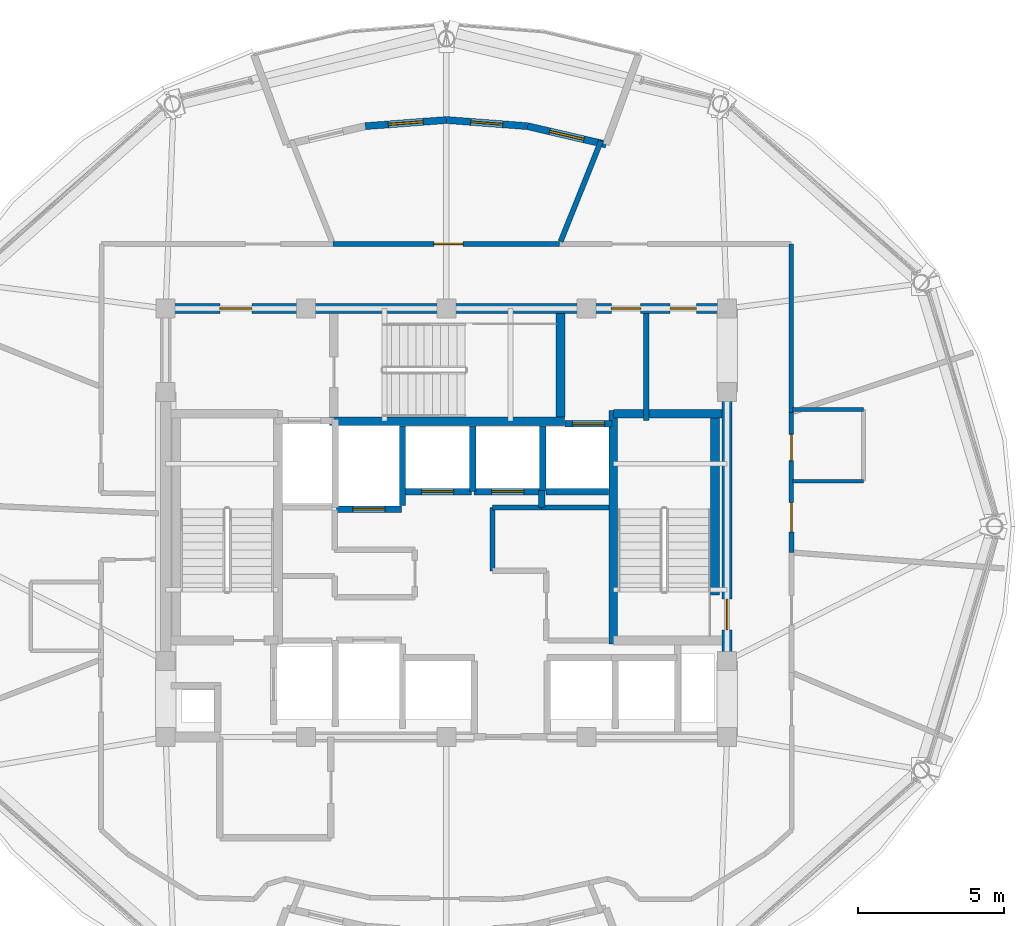
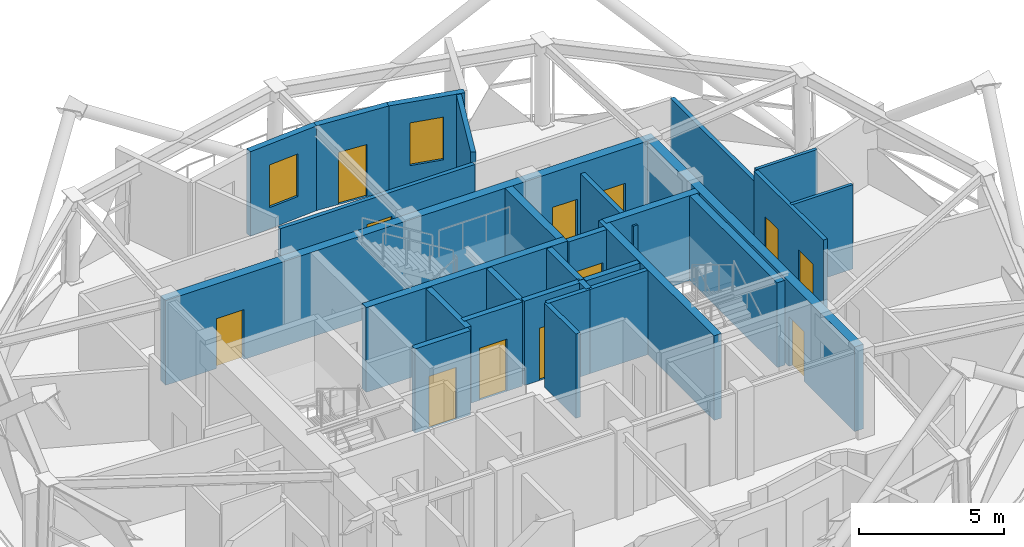
# One storey, part 9 of 13: 29 walls, 12 doors, 2 windows, 14 openings.
"""IFC4 building model written with IfcOpenShell, lengths in metres."""

from ifc_helpers import new_model, si_unit, direction, frame, frame_2d, origin, place, context, subcontext, project, spatial, rectangle, extrude, material, layer, layer_set, type_object, element, fill, save


model = new_model("IFC4")

# Units and contexts
model_context = context("Model", 3, precision=1e-05, world=origin(), true_north=direction((0.0, 1.0)))
body_context = subcontext(model_context, "Body", "Model", "MODEL_VIEW")
ifc_project = project(units=[si_unit("LENGTHUNIT", "METRE"), si_unit("AREAUNIT", "SQUARE_METRE"), si_unit("VOLUMEUNIT", "CUBIC_METRE"), si_unit("PLANEANGLEUNIT", "RADIAN"), si_unit("MASSUNIT", "GRAM", prefix="KILO")], contexts=[model_context])

# Site, building, storey
site_placement = place(None, origin())
site = spatial("IfcSite", under=ifc_project, at=site_placement, CompositionType="ELEMENT")
building_placement = place(site_placement, origin())
building = spatial("IfcBuilding", under=site, at=building_placement, Name="Vantalir Tower", CompositionType="ELEMENT")
storey_placement = place(building_placement, frame((0.0, 0.0, 282.60009765625)))
storey = spatial("IfcBuildingStorey", under=building, at=storey_placement, Name="L71", CompositionType="ELEMENT", Elevation=282.60009765625)

# Walls
ifc_material_1 = material(Name="Moisture-resistant en-suite partition", Category="gypsum")
ifc_layer_1 = layer(ifc_material_1, 0.125)
ifc_layer_set_1 = layer_set([ifc_layer_1], Name="Moisture-resistant en-suite partition")
wall_type_1 = type_object("IfcWallType", Name="WL-BATH-125", PredefinedType="PARTITIONING", material=ifc_layer_set_1)
for number, where, z_axis, x_axis, name in (
    (1, (43.3349609375, 26.550048828125, 0.0), (0.0, 0.0, 1.0), (1.0, 0.0, 0.0), "L71 Accessible WC South Wall"),
    (2, (43.3349609375, 29.0, 0.0), (0.0, 0.0, 1.0), (1.0, 0.0, 0.0), "L71 Accessible WC North Wall"),
):
    element("IfcWall", number, at=place(storey_placement, frame(where, z_axis=z_axis, x_axis=x_axis)), inside=storey, type_object=wall_type_1, Name=name, PredefinedType="PARTITIONING", context=body_context, shape_type="SweptSolid", body=[
        extrude(rectangle(XDim=2.429931640625, YDim=0.125, at=frame_2d((1.21484375, 0.0))), origin(), (0.0, 0.0, 1.0), 3.5498046875),
    ])

# Wall, openings, doors
ifc_material_2 = material(Name="Concrete C50/60", Category="concrete")
ifc_layer_2 = layer(ifc_material_2, 0.35009765625)
ifc_layer_set_2 = layer_set([ifc_layer_2], Name="Concrete C50/60")
wall_type_2 = type_object("IfcWallType", Name="WL-CORE-350", PredefinedType="SHEAR", material=ifc_layer_set_2)
wall_1_placement = place(storey_placement, frame((21.72509765625, 32.449951171875, 0.0), z_axis=(0.0, 0.0, 1.0), x_axis=(1.0, 0.0, 0.0)))
wall_1 = element("IfcWall", 3, at=wall_1_placement, inside=storey, type_object=wall_type_2, Name="L71 Core Shear Wall North", PredefinedType="SHEAR", context=body_context, shape_type="SweptSolid", body=[
    extrude(rectangle(XDim=19.5498046875, YDim=0.35009765625, at=frame_2d((9.77490234375, 0.0))), origin(), (0.0, 0.0, 1.0), 3.56982421875),
])
opening_1_placement = place(wall_1_placement, frame((2.02490234375, 0.0, 0.0)))
opening_1 = element("IfcOpeningElement", 4, at=opening_1_placement, cuts=wall_1, Name="Opening D-FFL", PredefinedType="OPENING", context=body_context, shape_type="SweptSolid", body=[
    extrude(rectangle(XDim=1.10009765625, YDim=2.10009765625, at=frame_2d((0.550048828125, 1.050048828125))), frame((0.0, 0.18505859375, 0.0), z_axis=(0.0, -1.0, 0.0), x_axis=(1.0, 0.0, 0.0)), (0.0, 0.0, 1.0), 0.3701171875),
])
opening_2_placement = place(wall_1_placement, frame((15.4150390625, 0.0, 0.0)))
opening_2 = element("IfcOpeningElement", 5, at=opening_2_placement, cuts=wall_1, Name="Opening D-GUEST", PredefinedType="OPENING", context=body_context, shape_type="SweptSolid", body=[
    extrude(rectangle(XDim=1.0, YDim=2.10009765625, at=frame_2d((0.5, 1.050048828125))), frame((0.0, 0.18505859375, 0.0), z_axis=(0.0, -1.0, 0.0), x_axis=(1.0, 0.0, 0.0)), (0.0, 0.0, 1.0), 0.3701171875),
])
opening_3_placement = place(wall_1_placement, frame((17.425048828125, 0.0, 0.0)))
opening_3 = element("IfcOpeningElement", 6, at=opening_3_placement, cuts=wall_1, Name="Opening D-CR", PredefinedType="OPENING", context=body_context, shape_type="SweptSolid", body=[
    extrude(rectangle(XDim=0.89990234375, YDim=2.10009765625, at=frame_2d((0.449951171875, 1.050048828125))), frame((0.0, 0.18505859375, 0.0), z_axis=(0.0, -1.0, 0.0), x_axis=(1.0, 0.0, 0.0)), (0.0, 0.0, 1.0), 0.3701171875),
])
ifc_material_3 = material(Name="Fire-rated steel core service door", Category="steel")
door_type_1 = type_object("IfcDoorType", Name="DR-CORE-SERV-900", OperationType="NOTDEFINED", PredefinedType="DOOR", material=ifc_material_3)
door_1_placement = place(opening_3_placement, frame((0.89990234375, 0.0, 0.0), z_axis=(0.0, 0.0, 1.0), x_axis=(-1.0, 0.0, 0.0)))
door_1 = element("IfcDoor", 7, at=door_1_placement, inside=storey, type_object=door_type_1, Name="L71 Housekeeping and Linen Room Door", OperationType="SINGLE_SWING_RIGHT", OverallHeight=2.10009765625, OverallWidth=0.89990234375, PredefinedType="DOOR", context=body_context, shape_type="SweptSolid", body=[
    extrude(rectangle(XDim=0.89990234375, YDim=2.10009765625, at=frame_2d((0.449951171875, 1.050048828125))), frame((0.0, 0.02490234375, 0.0), z_axis=(0.0, -1.0, 0.0), x_axis=(1.0, 0.0, 0.0)), (0.0, 0.0, 1.0), 0.050048828125),
])
fill(opening_3, door_1)
ifc_material_4 = material(Name="Fire-rated acoustic steel door", Category="steel")
door_type_2 = type_object("IfcDoorType", Name="DR-FIRE-LOBBY-1100", OperationType="NOTDEFINED", PredefinedType="DOOR", material=ifc_material_4)
door_2_placement = place(opening_1_placement, frame((1.10009765625, 0.0, 0.0), z_axis=(0.0, 0.0, 1.0), x_axis=(-1.0, 0.0, 0.0)))
door_2 = element("IfcDoor", 8, at=door_2_placement, inside=storey, type_object=door_type_2, Name="L71 Firefighting Lobby East Access Door", OperationType="SINGLE_SWING_LEFT", OverallHeight=2.10009765625, OverallWidth=1.10009765625, PredefinedType="DOOR", context=body_context, shape_type="SweptSolid", body=[
    extrude(rectangle(XDim=1.10009765625, YDim=2.10009765625, at=frame_2d((0.550048828125, 1.050048828125))), frame((0.0, 0.02490234375, 0.0), z_axis=(0.0, -1.0, 0.0), x_axis=(1.0, 0.0, 0.0)), (0.0, 0.0, 1.0), 0.050048828125),
])
fill(opening_1, door_2)
ifc_material_5 = material(Name="Solid-core teak veneer acoustic fire door", Category="wood")
door_type_3 = type_object("IfcDoorType", Name="DR-GUEST-ENTRY-1000", OperationType="NOTDEFINED", PredefinedType="DOOR", material=ifc_material_5)
door_3_placement = place(opening_2_placement, frame((1.0, 0.0, 0.0), z_axis=(0.0, 0.0, 1.0), x_axis=(-1.0, 0.0, 0.0)))
door_3 = element("IfcDoor", 9, at=door_3_placement, inside=storey, type_object=door_type_3, Name="L71 High-Rise Lift Lobby Door", OperationType="SINGLE_SWING_LEFT", OverallHeight=2.10009765625, OverallWidth=1.0, PredefinedType="DOOR", context=body_context, shape_type="SweptSolid", body=[
    extrude(rectangle(XDim=1.0, YDim=2.10009765625, at=frame_2d((0.5, 1.050048828125))), frame((0.0, 0.02490234375, 0.0), z_axis=(0.0, -1.0, 0.0), x_axis=(1.0, 0.0, 0.0)), (0.0, 0.0, 1.0), 0.050048828125),
])
fill(opening_2, door_3)

# Wall, opening, door
wall_2_placement = place(storey_placement, frame((41.10009765625, 17.97509765625, 0.0), z_axis=(0.0, 0.0, 1.0), x_axis=(0.0, 1.0, 0.0)))
wall_2 = element("IfcWall", 10, at=wall_2_placement, inside=storey, type_object=wall_type_2, Name="L71 Core Shear Wall East", PredefinedType="SHEAR", context=body_context, shape_type="SweptSolid", body=[
    extrude(rectangle(XDim=14.2998046875, YDim=0.35009765625, at=frame_2d((7.14990234375, 0.0))), origin(), (0.0, 0.0, 1.0), 3.56982421875),
])
opening_4_placement = place(wall_2_placement, frame((3.485107421875, 0.0, 0.0)))
opening_4 = element("IfcOpeningElement", 11, at=opening_4_placement, cuts=wall_2, Name="Opening D-ST", PredefinedType="OPENING", context=body_context, shape_type="SweptSolid", body=[
    extrude(rectangle(XDim=1.050048828125, YDim=2.10009765625, at=frame_2d((0.52490234375, 1.050048828125))), frame((0.0, 0.18505859375, 0.0), z_axis=(0.0, -1.0, 0.0), x_axis=(1.0, 0.0, 0.0)), (0.0, 0.0, 1.0), 0.3701171875),
])
ifc_material_6 = material(Name="Fire-rated steel door leaf", Category="steel")
door_type_4 = type_object("IfcDoorType", Name="DR-FIRE-STAIR-1050", OperationType="NOTDEFINED", PredefinedType="DOOR", material=ifc_material_6)
door_4_placement = place(opening_4_placement, origin())
door_4 = element("IfcDoor", 12, at=door_4_placement, inside=storey, type_object=door_type_4, Name="L71 Exit Stair ST2 Fire Door", OperationType="SINGLE_SWING_LEFT", OverallHeight=2.10009765625, OverallWidth=1.050048828125, PredefinedType="DOOR", context=body_context, shape_type="SweptSolid", body=[
    extrude(rectangle(XDim=1.050048828125, YDim=2.10009765625, at=frame_2d((0.52490234375, 1.050048828125))), frame((0.0, 0.02490234375, 0.0), z_axis=(0.0, -1.0, 0.0), x_axis=(1.0, 0.0, 0.0)), (0.0, 0.0, 1.0), 0.050048828125),
])
fill(opening_4, door_4)

ifc_material_7 = material(Name="Fire-rated hotel corridor acoustic partition", Category="gypsum")
ifc_layer_3 = layer(ifc_material_7, 0.159912109375)
ifc_layer_set_3 = layer_set([ifc_layer_3], Name="Fire-rated hotel corridor acoustic partition")
wall_type_3 = type_object("IfcWallType", Name="WL-CORR-160", PredefinedType="PARTITIONING", material=ifc_layer_set_3)
wall_3_placement = place(storey_placement, frame((27.6240234375, 34.660888671875, 0.0), z_axis=(0.0, 0.0, 1.0), x_axis=(1.0, 0.0, 0.0)))
wall_3 = element("IfcWall", 13, at=wall_3_placement, inside=storey, type_object=wall_type_3, Name="L71 Corridor Partition 05", PredefinedType="PARTITIONING", context=body_context, shape_type="SweptSolid", body=[
    extrude(rectangle(XDim=7.751953125, YDim=0.159912109375, at=frame_2d((3.8759765625, 0.0))), origin(), (0.0, 0.0, 1.0), 3.1318359375),
])
opening_5_placement = place(wall_3_placement, frame((3.450927734375, 0.0, 0.0)))
opening_5 = element("IfcOpeningElement", 14, at=opening_5_placement, cuts=wall_3, Name="Opening D-GUEST", PredefinedType="OPENING", context=body_context, shape_type="SweptSolid", body=[
    extrude(rectangle(XDim=1.0, YDim=2.10009765625, at=frame_2d((0.5, 1.050048828125))), frame((0.0, 0.08984375, 0.0), z_axis=(0.0, -1.0, 0.0), x_axis=(1.0, 0.0, 0.0)), (0.0, 0.0, 1.0), 0.179931640625),
])
door_5_placement = place(opening_5_placement, origin())
door_5 = element("IfcDoor", 15, at=door_5_placement, inside=storey, type_object=door_type_3, Name="L71 Wind Portal Viewing Lounge 02 Door", OperationType="SINGLE_SWING_LEFT", OverallHeight=2.10009765625, OverallWidth=1.0, PredefinedType="DOOR", context=body_context, shape_type="SweptSolid", body=[
    extrude(rectangle(XDim=1.0, YDim=2.10009765625, at=frame_2d((0.5, 1.050048828125))), frame((0.0, 0.02490234375, 0.0), z_axis=(0.0, -1.0, 0.0), x_axis=(1.0, 0.0, 0.0)), (0.0, 0.0, 1.0), 0.050048828125),
])
fill(opening_5, door_5)

# Wall
wall_4_placement = place(storey_placement, frame((43.2939453125, 34.659912109375, 0.0), z_axis=(0.0, 0.0, 1.0), x_axis=(0.000889490944, -0.999999604403, 0.0)))
element("IfcWall", 16, at=wall_4_placement, inside=storey, type_object=wall_type_3, Name="L71 Corridor Partition 07", PredefinedType="PARTITIONING", context=body_context, shape_type="SweptSolid", body=[
    extrude(rectangle(XDim=5.763916015625, YDim=0.159912109375, at=frame_2d((2.8818359375, 0.0))), origin(), (0.0, 0.0, 1.0), 3.1318359375),
])

# Wall, openings, doors
wall_5_placement = place(storey_placement, frame((43.299072265625, 28.89599609375, 0.0), z_axis=(0.0, 0.0, 1.0), x_axis=(0.00081620133, -0.999999666908, 0.0)))
wall_5 = element("IfcWall", 17, at=wall_5_placement, inside=storey, type_object=wall_type_3, Name="L71 Corridor Partition 08", PredefinedType="PARTITIONING", context=body_context, shape_type="SweptSolid", body=[
    extrude(rectangle(XDim=4.785888671875, YDim=0.159912109375, at=frame_2d((2.39306640625, 0.0))), origin(), (0.0, 0.0, 1.0), 3.5498046875),
])
opening_6_placement = place(wall_5_placement, frame((0.7451171875, 0.0, 0.0)))
opening_6 = element("IfcOpeningElement", 18, at=opening_6_placement, cuts=wall_5, Name="Opening D-WC", PredefinedType="OPENING", context=body_context, shape_type="SweptSolid", body=[
    extrude(rectangle(XDim=0.89990234375, YDim=2.10009765625, at=frame_2d((0.449951171875, 1.050048828125))), frame((0.0, 0.08984375, 0.0), z_axis=(0.0, -1.0, 0.0), x_axis=(1.0, 0.0, 0.0)), (0.0, 0.0, 1.0), 0.179931640625),
])
opening_7_placement = place(wall_5_placement, frame((3.080078125, 0.0, 0.0)))
opening_7 = element("IfcOpeningElement", 19, at=opening_7_placement, cuts=wall_5, Name="Opening D-GUEST", PredefinedType="OPENING", context=body_context, shape_type="SweptSolid", body=[
    extrude(rectangle(XDim=1.0, YDim=2.10009765625, at=frame_2d((0.5, 1.050048828125))), frame((0.0, 0.08984375, 0.0), z_axis=(0.0, -1.0, 0.0), x_axis=(1.0, 0.0, 0.0)), (0.0, 0.0, 1.0), 0.179931640625),
])
ifc_material_8 = material(Name="Moisture-resistant hardwood door", Category="wood")
door_type_5 = type_object("IfcDoorType", Name="DR-ENSUITE-900", OperationType="NOTDEFINED", PredefinedType="DOOR", material=ifc_material_8)
door_6_placement = place(opening_6_placement, frame((0.89990234375, 0.0, 0.0), z_axis=(0.0, 0.0, 1.0), x_axis=(-1.0, 0.0, 0.0)))
door_6 = element("IfcDoor", 20, at=door_6_placement, inside=storey, type_object=door_type_5, Name="L71 Accessible WC Door", OperationType="SINGLE_SWING_RIGHT", OverallHeight=2.10009765625, OverallWidth=0.89990234375, PredefinedType="DOOR", context=body_context, shape_type="SweptSolid", body=[
    extrude(rectangle(XDim=0.89990234375, YDim=2.10009765625, at=frame_2d((0.449951171875, 1.050048828125))), frame((0.0, 0.02490234375, 0.0), z_axis=(0.0, -1.0, 0.0), x_axis=(1.0, 0.0, 0.0)), (0.0, 0.0, 1.0), 0.050048828125),
])
fill(opening_6, door_6)
door_7_placement = place(opening_7_placement, origin())
door_7 = element("IfcDoor", 21, at=door_7_placement, inside=storey, type_object=door_type_3, Name="L71 Club Reading Lounge 10 Door", OperationType="SINGLE_SWING_LEFT", OverallHeight=2.10009765625, OverallWidth=1.0, PredefinedType="DOOR", context=body_context, shape_type="SweptSolid", body=[
    extrude(rectangle(XDim=1.0, YDim=2.10009765625, at=frame_2d((0.5, 1.050048828125))), frame((0.0, 0.02490234375, 0.0), z_axis=(0.0, -1.0, 0.0), x_axis=(1.0, 0.0, 0.0)), (0.0, 0.0, 1.0), 0.050048828125),
])
fill(opening_7, door_7)

# Wall, opening, window
ifc_material_9 = material(Name="Precast concrete C40/50 insulated sky-garden wall", Category="concrete")
ifc_layer_4 = layer(ifc_material_9, 0.239990234375)
ifc_layer_set_4 = layer_set([ifc_layer_4], Name="Precast concrete C40/50 insulated sky-garden wall")
wall_type_4 = type_object("IfcWallType", Name="WL-EXT-SG-240", PredefinedType="SOLIDWALL", material=ifc_layer_set_4)
wall_6_placement = place(storey_placement, frame((36.9619140625, 38.06201171875, 0.0), z_axis=(0.0, 0.0, 1.0), x_axis=(-0.973879024803, 0.227067490076, 0.0)))
wall_6 = element("IfcWall", 22, at=wall_6_placement, inside=storey, type_object=wall_type_4, Name="L71 Wind Portal Lounge Wall N1", PredefinedType="SOLIDWALL", context=body_context, shape_type="SweptSolid", body=[
    extrude(rectangle(XDim=2.760986328125, YDim=0.239990234375, at=frame_2d((1.38037109375, 0.0))), origin(), (0.0, 0.0, 1.0), 3.56982421875),
])
opening_8_placement = place(wall_6_placement, frame((0.781005859375, 0.0, 0.89990234375)))
opening_8 = element("IfcOpeningElement", 23, at=opening_8_placement, cuts=wall_6, Name="Opening WN-4", PredefinedType="OPENING", context=body_context, shape_type="SweptSolid", body=[
    extrude(rectangle(XDim=1.199951171875, YDim=1.800048828125, at=frame_2d((0.60009765625, 0.89990234375))), frame((0.0, 0.1298828125, 0.0), z_axis=(0.0, -1.0, 0.0), x_axis=(1.0, 0.0, 0.0)), (0.0, 0.0, 1.0), 0.260009765625),
])
ifc_material_10 = material(Name="Operable smoke-vent Low-E window", Category="glass")
window_type = type_object("IfcWindowType", Name="WIN-SG-1200x1800", PartitioningType="SINGLE_PANEL", PredefinedType="WINDOW", material=ifc_material_10)
window_1_placement = place(opening_8_placement, origin())
window_1 = element("IfcWindow", 24, at=window_1_placement, inside=storey, type_object=window_type, Name="L71 Wind Portal Viewing Window N1", OverallHeight=1.800048828125, OverallWidth=1.199951171875, PartitioningType="SINGLE_PANEL", PredefinedType="WINDOW", context=body_context, shape_type="SweptSolid", body=[
    extrude(rectangle(XDim=1.199951171875, YDim=1.800048828125, at=frame_2d((0.60009765625, 0.89990234375))), frame((0.0, 0.030029296875, 0.0), z_axis=(0.0, -1.0, 0.0), x_axis=(1.0, 0.0, 0.0)), (0.0, 0.0, 1.0), 0.06005859375),
])
fill(opening_8, window_1)

# Wall, opening, door
wall_7_placement = place(storey_placement, frame((34.27294921875, 38.68896484375, 0.0), z_axis=(0.0, 0.0, 1.0), x_axis=(-0.997119194593, 0.075850588495, 0.0)))
wall_7 = element("IfcWall", 25, at=wall_7_placement, inside=storey, type_object=wall_type_4, Name="L71 Wind Portal Lounge Wall N2", PredefinedType="SOLIDWALL", context=body_context, shape_type="SweptSolid", body=[
    extrude(rectangle(XDim=2.781005859375, YDim=0.239990234375, at=frame_2d((1.390625, 0.0))), origin(), (0.0, 0.0, 1.0), 3.56982421875),
])
opening_9_placement = place(wall_7_placement, frame((0.841064453125, 0.0, 0.0)))
opening_9 = element("IfcOpeningElement", 26, at=opening_9_placement, cuts=wall_7, Name="Opening D-TR", PredefinedType="OPENING", context=body_context, shape_type="SweptSolid", body=[
    extrude(rectangle(XDim=1.10009765625, YDim=2.199951171875, at=frame_2d((0.550048828125, 1.10009765625))), frame((0.0, 0.1298828125, 0.0), z_axis=(0.0, -1.0, 0.0), x_axis=(1.0, 0.0, 0.0)), (0.0, 0.0, 1.0), 0.260009765625),
])
ifc_material_11 = material(Name="Thermally broken Low-E glazed terrace door", Category="steel")
door_type_6 = type_object("IfcDoorType", Name="DR-EXT-TERR-1100", OperationType="NOTDEFINED", PredefinedType="DOOR", material=ifc_material_11)
door_8_placement = place(opening_9_placement, frame((1.10009765625, 0.0, 0.0), z_axis=(0.0, 0.0, 1.0), x_axis=(-1.0, 0.0, 0.0)))
door_8 = element("IfcDoor", 27, at=door_8_placement, inside=storey, type_object=door_type_6, Name="L71 Wind Portal Loggia Door N", OperationType="SINGLE_SWING_LEFT", OverallHeight=2.199951171875, OverallWidth=1.10009765625, PredefinedType="DOOR", context=body_context, shape_type="SweptSolid", body=[
    extrude(rectangle(XDim=1.10009765625, YDim=2.199951171875, at=frame_2d((0.550048828125, 1.10009765625))), frame((0.0, 0.02490234375, 0.0), z_axis=(0.0, -1.0, 0.0), x_axis=(1.0, 0.0, 0.0)), (0.0, 0.0, 1.0), 0.050048828125),
])
fill(opening_9, door_8)

# Wall, opening, window
wall_8_placement = place(storey_placement, frame((31.5, 38.89990234375, 0.0), z_axis=(0.0, 0.0, 1.0), x_axis=(-0.997119194593, -0.075850588495, 0.0)))
wall_8 = element("IfcWall", 28, at=wall_8_placement, inside=storey, type_object=wall_type_4, Name="L71 Wind Portal Lounge Wall N3", PredefinedType="SOLIDWALL", context=body_context, shape_type="SweptSolid", body=[
    extrude(rectangle(XDim=2.781005859375, YDim=0.239990234375, at=frame_2d((1.390625, 0.0))), origin(), (0.0, 0.0, 1.0), 3.56982421875),
])
opening_10_placement = place(wall_8_placement, frame((0.791015625, 0.0, 0.89990234375)))
opening_10 = element("IfcOpeningElement", 29, at=opening_10_placement, cuts=wall_8, Name="Opening WN-4", PredefinedType="OPENING", context=body_context, shape_type="SweptSolid", body=[
    extrude(rectangle(XDim=1.199951171875, YDim=1.800048828125, at=frame_2d((0.60009765625, 0.89990234375))), frame((0.0, 0.1298828125, 0.0), z_axis=(0.0, -1.0, 0.0), x_axis=(1.0, 0.0, 0.0)), (0.0, 0.0, 1.0), 0.260009765625),
])
window_2_placement = place(opening_10_placement, origin())
window_2 = element("IfcWindow", 30, at=window_2_placement, inside=storey, type_object=window_type, Name="L71 Wind Portal Viewing Window N3", OverallHeight=1.800048828125, OverallWidth=1.199951171875, PartitioningType="SINGLE_PANEL", PredefinedType="WINDOW", context=body_context, shape_type="SweptSolid", body=[
    extrude(rectangle(XDim=1.199951171875, YDim=1.800048828125, at=frame_2d((0.60009765625, 0.89990234375))), frame((0.0, 0.030029296875, 0.0), z_axis=(0.0, -1.0, 0.0), x_axis=(1.0, 0.0, 0.0)), (0.0, 0.0, 1.0), 0.06005859375),
])
fill(opening_10, window_2)

# Walls
ifc_material_12 = material(Name="Concrete blockwork with fireboard lining", Category="masonry")
ifc_layer_5 = layer(ifc_material_12, 0.219970703125)
ifc_layer_set_5 = layer_set([ifc_layer_5], Name="Concrete blockwork with fireboard lining")
wall_type_5 = type_object("IfcWallType", Name="WL-FFL-220", PredefinedType="PARTITIONING", material=ifc_layer_set_5)
wall_9_placement = place(storey_placement, frame((30.0, 25.7099609375, 0.0), z_axis=(0.0, 0.0, 1.0), x_axis=(0.0, 1.0, 0.0)))
element("IfcWall", 31, at=wall_9_placement, inside=storey, type_object=wall_type_5, Name="L71 Service Lift SV2 East Shaft Wall", PredefinedType="PARTITIONING", context=body_context, shape_type="SweptSolid", body=[
    extrude(rectangle(XDim=2.72998046875, YDim=0.219970703125, at=frame_2d((1.364990234375, 0.0))), origin(), (0.0, 0.0, 1.0), 3.544921875),
])
wall_10_placement = place(storey_placement, frame((32.39990234375, 26.199951171875, 0.0), z_axis=(0.0, 0.0, 1.0), x_axis=(0.0, 1.0, 0.0)))
element("IfcWall", 32, at=wall_10_placement, inside=storey, type_object=wall_type_5, Name="L71 High-Rise Lift PL-H1/H2 Shaft Divider", PredefinedType="PARTITIONING", context=body_context, shape_type="SweptSolid", body=[
    extrude(rectangle(XDim=2.239990234375, YDim=0.219970703125, at=frame_2d((1.1201171875, 0.0))), origin(), (0.0, 0.0, 1.0), 3.544921875),
])
wall_11_placement = place(storey_placement, frame((34.800048828125, 26.22998046875, 0.0), z_axis=(0.0, 0.0, 1.0), x_axis=(0.0, 1.0, 0.0)))
element("IfcWall", 33, at=wall_11_placement, inside=storey, type_object=wall_type_5, Name="L71 High-Rise Lift PL-H2/H3 Shaft Divider", PredefinedType="PARTITIONING", context=body_context, shape_type="SweptSolid", body=[
    extrude(rectangle(XDim=2.2099609375, YDim=0.219970703125, at=frame_2d((1.10498046875, 0.0))), origin(), (0.0, 0.0, 1.0), 3.544921875),
])
wall_12_placement = place(storey_placement, frame((34.909912109375, 26.18994140625, 0.0), z_axis=(0.0, 0.0, 1.0), x_axis=(1.0, 0.0, 0.0)))
element("IfcWall", 34, at=wall_12_placement, inside=storey, type_object=wall_type_5, Name="L71 High-Rise Lift PL-H3 Rear Shaft Wall", PredefinedType="PARTITIONING", context=body_context, shape_type="SweptSolid", body=[
    extrude(rectangle(XDim=2.14013671875, YDim=0.219970703125, at=frame_2d((1.070068359375, 0.0))), origin(), (0.0, 0.0, 1.0), 3.544921875),
])

# Wall, opening, door
wall_13_placement = place(storey_placement, frame((27.739990234375, 25.590087890625, 0.0), z_axis=(0.0, 0.0, 1.0), x_axis=(1.0, 0.0, 0.0)))
wall_13 = element("IfcWall", 35, at=wall_13_placement, inside=storey, type_object=wall_type_5, Name="L71 Lift SV2 Shaft Front Wall", PredefinedType="PARTITIONING", context=body_context, shape_type="SweptSolid", body=[
    extrude(rectangle(XDim=2.219970703125, YDim=0.219970703125, at=frame_2d((1.10986328125, 0.0))), origin(), (0.0, 0.0, 1.0), 3.5498046875),
])
opening_11_placement = place(wall_13_placement, frame((0.56005859375, 0.0, 0.0)))
opening_11 = element("IfcOpeningElement", 36, at=opening_11_placement, cuts=wall_13, Name="Opening LD-SV2", PredefinedType="OPENING", context=body_context, shape_type="SweptSolid", body=[
    extrude(rectangle(XDim=1.10009765625, YDim=2.199951171875, at=frame_2d((0.550048828125, 1.10009765625))), frame((0.0, 0.119873046875, 0.0), z_axis=(0.0, -1.0, 0.0), x_axis=(1.0, 0.0, 0.0)), (0.0, 0.0, 1.0), 0.239990234375),
])
ifc_material_13 = material(Name="Brushed stainless-steel sliding lift landing door", Category="steel")
door_type_7 = type_object("IfcDoorType", Name="DR-LIFT-LANDING-1100", OperationType="DOUBLE_DOOR_SLIDING", PredefinedType="DOOR", material=ifc_material_13)
door_9_placement = place(opening_11_placement, frame((1.10009765625, 0.0, 0.0), z_axis=(0.0, 0.0, 1.0), x_axis=(-1.0, 0.0, 0.0)))
door_9 = element("IfcDoor", 37, at=door_9_placement, inside=storey, type_object=door_type_7, Name="L71 Lift Landing Door SV2", OperationType="DOUBLE_DOOR_SLIDING", OverallHeight=2.199951171875, OverallWidth=1.10009765625, PredefinedType="DOOR", context=body_context, shape_type="SweptSolid", body=[
    extrude(rectangle(XDim=1.10009765625, YDim=2.199951171875, at=frame_2d((0.550048828125, 1.10009765625))), frame((0.0, 0.02490234375, 0.0), z_axis=(0.0, -1.0, 0.0), x_axis=(1.0, 0.0, 0.0)), (0.0, 0.0, 1.0), 0.050048828125),
])
fill(opening_11, door_9)

wall_14_placement = place(storey_placement, frame((30.0400390625, 26.18994140625, 0.0), z_axis=(0.0, 0.0, 1.0), x_axis=(1.0, 0.0, 0.0)))
wall_14 = element("IfcWall", 38, at=wall_14_placement, inside=storey, type_object=wall_type_5, Name="L71 Lift PL-H1 Shaft Front Wall", PredefinedType="PARTITIONING", context=body_context, shape_type="SweptSolid", body=[
    extrude(rectangle(XDim=2.320068359375, YDim=0.219970703125, at=frame_2d((1.16015625, 0.0))), origin(), (0.0, 0.0, 1.0), 3.5498046875),
])
opening_12_placement = place(wall_14_placement, frame((0.610107421875, 0.0, 0.0)))
opening_12 = element("IfcOpeningElement", 39, at=opening_12_placement, cuts=wall_14, Name="Opening LD-PL-H1", PredefinedType="OPENING", context=body_context, shape_type="SweptSolid", body=[
    extrude(rectangle(XDim=1.10009765625, YDim=2.199951171875, at=frame_2d((0.550048828125, 1.10009765625))), frame((0.0, 0.119873046875, 0.0), z_axis=(0.0, -1.0, 0.0), x_axis=(1.0, 0.0, 0.0)), (0.0, 0.0, 1.0), 0.239990234375),
])
door_10_placement = place(opening_12_placement, frame((1.10009765625, 0.0, 0.0), z_axis=(0.0, 0.0, 1.0), x_axis=(-1.0, 0.0, 0.0)))
door_10 = element("IfcDoor", 40, at=door_10_placement, inside=storey, type_object=door_type_7, Name="L71 Lift Landing Door PL-H1", OperationType="DOUBLE_DOOR_SLIDING", OverallHeight=2.199951171875, OverallWidth=1.10009765625, PredefinedType="DOOR", context=body_context, shape_type="SweptSolid", body=[
    extrude(rectangle(XDim=1.10009765625, YDim=2.199951171875, at=frame_2d((0.550048828125, 1.10009765625))), frame((0.0, 0.02490234375, 0.0), z_axis=(0.0, -1.0, 0.0), x_axis=(1.0, 0.0, 0.0)), (0.0, 0.0, 1.0), 0.050048828125),
])
fill(opening_12, door_10)

wall_15_placement = place(storey_placement, frame((32.43994140625, 26.18994140625, 0.0), z_axis=(0.0, 0.0, 1.0), x_axis=(1.0, 0.0, 0.0)))
wall_15 = element("IfcWall", 41, at=wall_15_placement, inside=storey, type_object=wall_type_5, Name="L71 Lift PL-H2 Shaft Front Wall", PredefinedType="PARTITIONING", context=body_context, shape_type="SweptSolid", body=[
    extrude(rectangle(XDim=2.320068359375, YDim=0.219970703125, at=frame_2d((1.16015625, 0.0))), origin(), (0.0, 0.0, 1.0), 3.5498046875),
])
opening_13_placement = place(wall_15_placement, frame((0.610107421875, 0.0, 0.0)))
opening_13 = element("IfcOpeningElement", 42, at=opening_13_placement, cuts=wall_15, Name="Opening LD-PL-H2", PredefinedType="OPENING", context=body_context, shape_type="SweptSolid", body=[
    extrude(rectangle(XDim=1.10009765625, YDim=2.199951171875, at=frame_2d((0.550048828125, 1.10009765625))), frame((0.0, 0.119873046875, 0.0), z_axis=(0.0, -1.0, 0.0), x_axis=(1.0, 0.0, 0.0)), (0.0, 0.0, 1.0), 0.239990234375),
])
door_11_placement = place(opening_13_placement, frame((1.10009765625, 0.0, 0.0), z_axis=(0.0, 0.0, 1.0), x_axis=(-1.0, 0.0, 0.0)))
door_11 = element("IfcDoor", 43, at=door_11_placement, inside=storey, type_object=door_type_7, Name="L71 Lift Landing Door PL-H2", OperationType="DOUBLE_DOOR_SLIDING", OverallHeight=2.199951171875, OverallWidth=1.10009765625, PredefinedType="DOOR", context=body_context, shape_type="SweptSolid", body=[
    extrude(rectangle(XDim=1.10009765625, YDim=2.199951171875, at=frame_2d((0.550048828125, 1.10009765625))), frame((0.0, 0.02490234375, 0.0), z_axis=(0.0, -1.0, 0.0), x_axis=(1.0, 0.0, 0.0)), (0.0, 0.0, 1.0), 0.050048828125),
])
fill(opening_13, door_11)

wall_16_placement = place(storey_placement, frame((35.56005859375, 28.510009765625, 0.0), z_axis=(0.0, 0.0, 1.0), x_axis=(1.0, 0.0, 0.0)))
wall_16 = element("IfcWall", 44, at=wall_16_placement, inside=storey, type_object=wall_type_5, Name="L71 Lift PL-H3 Shaft Front Wall", PredefinedType="PARTITIONING", context=body_context, shape_type="SweptSolid", body=[
    extrude(rectangle(XDim=1.599853515625, YDim=0.219970703125, at=frame_2d((0.7998046875, 0.0))), origin(), (0.0, 0.0, 1.0), 3.5498046875),
])
opening_14_placement = place(wall_16_placement, frame((0.25, 0.0, 0.0)))
opening_14 = element("IfcOpeningElement", 45, at=opening_14_placement, cuts=wall_16, Name="Opening LD-PL-H3", PredefinedType="OPENING", context=body_context, shape_type="SweptSolid", body=[
    extrude(rectangle(XDim=1.10009765625, YDim=2.199951171875, at=frame_2d((0.550048828125, 1.10009765625))), frame((0.0, 0.119873046875, 0.0), z_axis=(0.0, -1.0, 0.0), x_axis=(1.0, 0.0, 0.0)), (0.0, 0.0, 1.0), 0.239990234375),
])
door_12_placement = place(opening_14_placement, origin())
door_12 = element("IfcDoor", 46, at=door_12_placement, inside=storey, type_object=door_type_7, Name="L71 Lift Landing Door PL-H3", OperationType="DOUBLE_DOOR_SLIDING", OverallHeight=2.199951171875, OverallWidth=1.10009765625, PredefinedType="DOOR", context=body_context, shape_type="SweptSolid", body=[
    extrude(rectangle(XDim=1.10009765625, YDim=2.199951171875, at=frame_2d((0.550048828125, 1.10009765625))), frame((0.0, 0.02490234375, 0.0), z_axis=(0.0, -1.0, 0.0), x_axis=(1.0, 0.0, 0.0)), (0.0, 0.0, 1.0), 0.050048828125),
])
fill(opening_14, door_12)

# Walls
wall_17_placement = place(storey_placement, frame((34.760009765625, 25.64990234375, 0.0), z_axis=(0.0, 0.0, 1.0), x_axis=(0.0, 1.0, 0.0)))
element("IfcWall", 47, at=wall_17_placement, inside=storey, type_object=wall_type_5, Name="L71 High-Rise Shaft Shoulder Wall", PredefinedType="PARTITIONING", context=body_context, shape_type="SweptSolid", body=[
    extrude(rectangle(XDim=0.570068359375, YDim=0.219970703125, at=frame_2d((0.28515625, 0.0))), origin(), (0.0, 0.0, 1.0), 3.5498046875),
])
ifc_material_14 = material(Name="Twin-stud acoustic fire-rated gypsum partition", Category="gypsum")
ifc_layer_6 = layer(ifc_material_14, 0.179931640625)
ifc_layer_set_6 = layer_set([ifc_layer_6], Name="Twin-stud acoustic fire-rated gypsum partition")
wall_type_6 = type_object("IfcWallType", Name="WL-GUEST-180", PredefinedType="PARTITIONING", material=ifc_layer_set_6)
wall_18_placement = place(storey_placement, frame((34.719970703125, 25.64990234375, 0.0), z_axis=(0.0, 0.0, 1.0), x_axis=(1.0, 0.0, 0.0)))
element("IfcWall", 48, at=wall_18_placement, inside=storey, type_object=wall_type_6, Name="L71 Freed East Core North Wall", PredefinedType="PARTITIONING", context=body_context, shape_type="SweptSolid", body=[
    extrude(rectangle(XDim=2.340087890625, YDim=0.179931640625, at=frame_2d((1.169921875, 0.0))), origin(), (0.0, 0.0, 1.0), 3.5498046875),
])
wall_19_placement = place(storey_placement, frame((33.080078125, 25.64990234375, 0.0), z_axis=(0.0, 0.0, 1.0), x_axis=(1.0, 0.0, 0.0)))
element("IfcWall", 49, at=wall_19_placement, inside=storey, type_object=wall_type_6, Name="L71 East Core Alcove North Wall", PredefinedType="PARTITIONING", context=body_context, shape_type="SweptSolid", body=[
    extrude(rectangle(XDim=1.679931640625, YDim=0.179931640625, at=frame_2d((0.83984375, 0.0))), origin(), (0.0, 0.0, 1.0), 3.5498046875),
])
wall_20_placement = place(storey_placement, frame((33.080078125, 23.47998046875, 0.0), z_axis=(0.0, 0.0, 1.0), x_axis=(0.0, 1.0, 0.0)))
element("IfcWall", 50, at=wall_20_placement, inside=storey, type_object=wall_type_6, Name="L71 East Core Alcove West Wall", PredefinedType="PARTITIONING", context=body_context, shape_type="SweptSolid", body=[
    extrude(rectangle(XDim=2.169921875, YDim=0.179931640625, at=frame_2d((1.0849609375, 0.0))), origin(), (0.0, 0.0, 1.0), 3.5498046875),
])
wall_21_placement = place(storey_placement, frame((38.340087890625, 28.6201171875, 0.0), z_axis=(0.0, 0.0, 1.0), x_axis=(0.0, 1.0, 0.0)))
element("IfcWall", 51, at=wall_21_placement, inside=storey, type_object=wall_type_6, Name="L71 High-Rise Lift Lobby East Wall", PredefinedType="PARTITIONING", context=body_context, shape_type="SweptSolid", body=[
    extrude(rectangle(XDim=3.65478515625, YDim=0.179931640625, at=frame_2d((1.827392578125, 0.0))), origin(), (0.0, 0.0, 1.0), 3.1318359375),
])
wall_22_placement = place(storey_placement, frame((35.406982421875, 34.739990234375, 0.0), z_axis=(0.0, 0.0, 1.0), x_axis=(0.372487745925, 0.928037110861, 0.0)))
element("IfcWall", 52, at=wall_22_placement, inside=storey, type_object=wall_type_6, Name="L71 Radial Suite Partition 02", PredefinedType="PARTITIONING", context=body_context, shape_type="SweptSolid", body=[
    extrude(rectangle(XDim=3.720947265625, YDim=0.179931640625, at=frame_2d((1.8603515625, 0.0))), origin(), (0.0, 0.0, 1.0), 3.5498046875),
])
ifc_layer_7 = layer(ifc_material_2, 0.300048828125)
ifc_layer_set_7 = layer_set([ifc_layer_7], Name="Concrete C50/60")
wall_type_7 = type_object("IfcWallType", Name="WL-STAIR-300", PredefinedType="SHEAR", material=ifc_layer_set_7)
wall_23_placement = place(storey_placement, frame((37.2099609375, 28.85009765625, 0.0), z_axis=(0.0, 0.0, 1.0), x_axis=(1.0, 0.0, 0.0)))
element("IfcWall", 53, at=wall_23_placement, inside=storey, type_object=wall_type_7, Name="L71 Stair ST2 North Wall", PredefinedType="SHEAR", context=body_context, shape_type="SweptSolid", body=[
    extrude(rectangle(XDim=3.715087890625, YDim=0.300048828125, at=frame_2d((1.857421875, 0.0))), origin(), (0.0, 0.0, 1.0), 3.56982421875),
])
wall_24_placement = place(storey_placement, frame((37.2099609375, 20.97998046875, 0.0), z_axis=(0.0, 0.0, 1.0), x_axis=(0.0, 1.0, 0.0)))
element("IfcWall", 54, at=wall_24_placement, inside=storey, type_object=wall_type_7, Name="L71 Stair ST2 West Wall", PredefinedType="SHEAR", context=body_context, shape_type="SweptSolid", body=[
    extrude(rectangle(XDim=7.989990234375, YDim=0.300048828125, at=frame_2d((3.9951171875, 0.0))), origin(), (0.0, 0.0, 1.0), 3.56982421875),
])
wall_25_placement = place(storey_placement, frame((40.68994140625, 22.64990234375, 0.0), z_axis=(0.0, 0.0, 1.0), x_axis=(0.0, 1.0, 0.0)))
element("IfcWall", 55, at=wall_25_placement, inside=storey, type_object=wall_type_7, Name="L71 Stair ST2 East Liner Wall", PredefinedType="SHEAR", context=body_context, shape_type="SweptSolid", body=[
    extrude(rectangle(XDim=6.2001953125, YDim=0.300048828125, at=frame_2d((3.10009765625, 0.0))), origin(), (0.0, 0.0, 1.0), 3.56982421875),
])
wall_26_placement = place(storey_placement, frame((27.510009765625, 28.60009765625, 0.0), z_axis=(0.0, 0.0, 1.0), x_axis=(1.0, 0.0, 0.0)))
element("IfcWall", 56, at=wall_26_placement, inside=storey, type_object=wall_type_7, Name="L71 Stair ST3 South Wall", PredefinedType="SHEAR", context=body_context, shape_type="SweptSolid", body=[
    extrude(rectangle(XDim=8.030029296875, YDim=0.300048828125, at=frame_2d((4.01513671875, 0.0))), origin(), (0.0, 0.0, 1.0), 3.56982421875),
])
wall_27_placement = place(storey_placement, frame((35.39990234375, 28.75, 0.0), z_axis=(0.0, 0.0, 1.0), x_axis=(0.0, 1.0, 0.0)))
element("IfcWall", 57, at=wall_27_placement, inside=storey, type_object=wall_type_7, Name="L71 Stair ST3 East Wall", PredefinedType="SHEAR", context=body_context, shape_type="SweptSolid", body=[
    extrude(rectangle(XDim=3.52490234375, YDim=0.300048828125, at=frame_2d((1.762451171875, 0.0))), origin(), (0.0, 0.0, 1.0), 3.56982421875),
])

save(model, "model.ifc")
